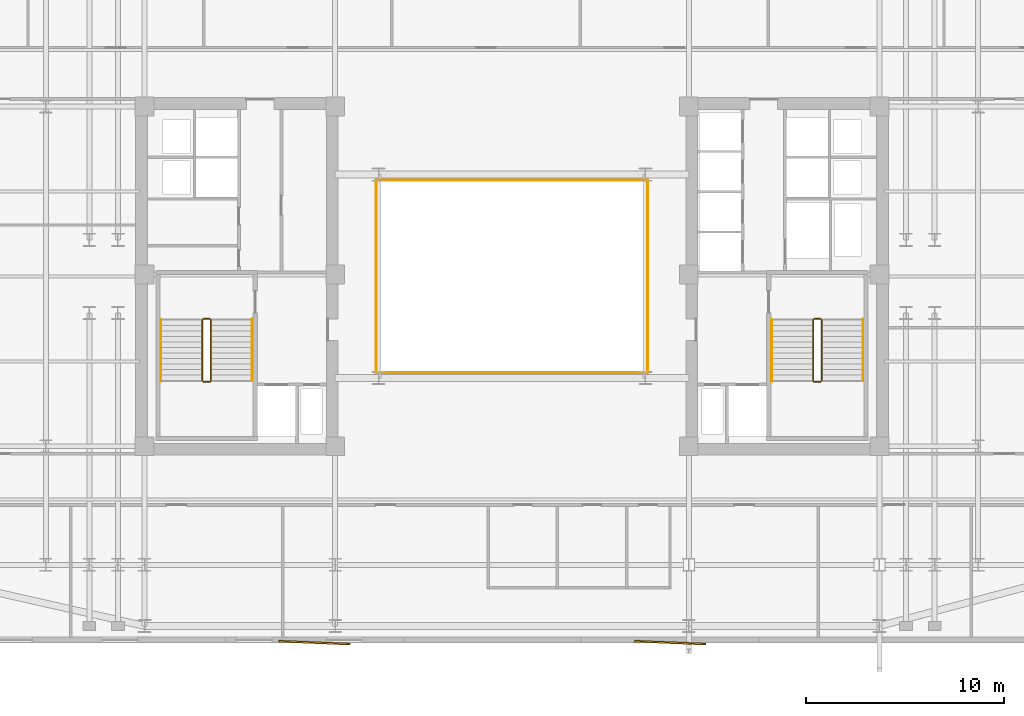
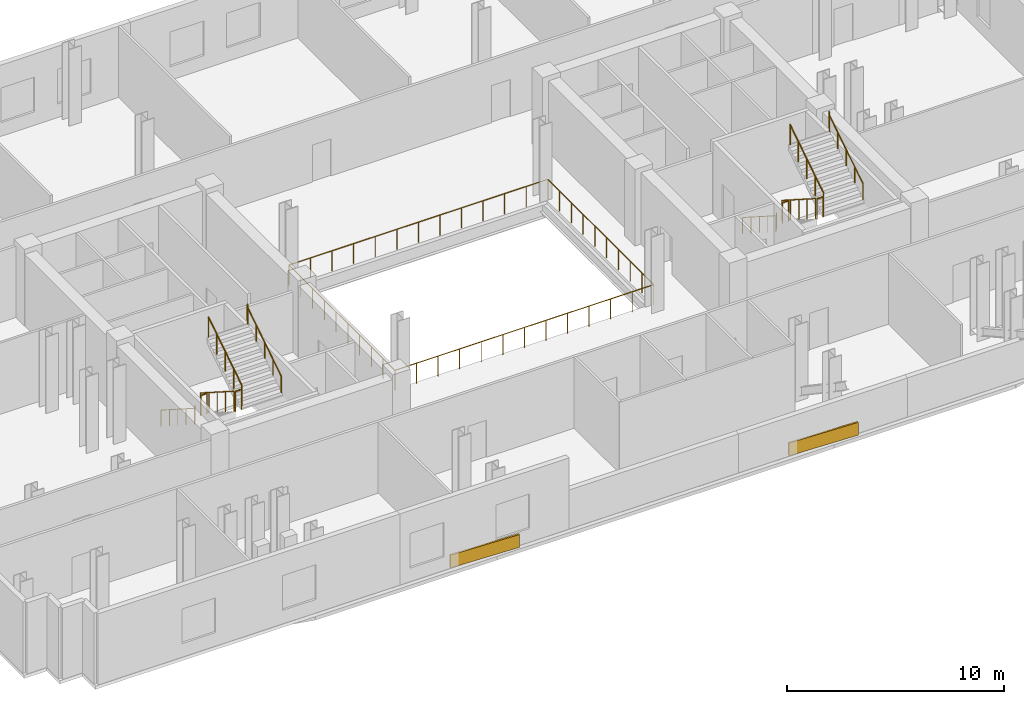
# One storey, part 8 of 9: 16 railings, 2 coverings.
"""IFC4 building model written with IfcOpenShell, lengths in metres."""

from ifc_helpers import new_model, si_unit, direction, frame, origin, origin_2d, place, context, subcontext, project, spatial, rectangle, circle, extrude, material, layer, layer_set, type_object, element, save


model = new_model("IFC4")

# Units and contexts
model_context = context("Model", 3, precision=1e-05, world=origin(), true_north=direction((0.0, 1.0)))
body_context = subcontext(model_context, "Body", "Model", "MODEL_VIEW")
ifc_project = project(units=[si_unit("LENGTHUNIT", "METRE"), si_unit("AREAUNIT", "SQUARE_METRE"), si_unit("VOLUMEUNIT", "CUBIC_METRE"), si_unit("PLANEANGLEUNIT", "RADIAN"), si_unit("MASSUNIT", "GRAM", prefix="KILO")], contexts=[model_context])

# Site, building, storey
site_placement = place(None, origin())
site = spatial("IfcSite", under=ifc_project, at=site_placement, CompositionType="ELEMENT")
building_placement = place(site_placement, origin())
building = spatial("IfcBuilding", under=site, at=building_placement, Name="Velakula Bourse", CompositionType="ELEMENT")
storey_placement = place(building_placement, frame((0.0, 0.0, 151.89990234375)))
storey = spatial("IfcBuildingStorey", under=building, at=storey_placement, Name="L41", CompositionType="ELEMENT", Elevation=151.89990234375)

# Coverings
ifc_material_1 = material(Name="Red kilned clay facing brick masonry", Category="masonry")
ifc_layer = layer(ifc_material_1, 0.090087890625, Name="Red kilned clay facing brick masonry", Category="masonry")
ifc_layer_set = layer_set([ifc_layer], Name="Red kilned clay facing brick masonry")
covering_type = type_object("IfcCoveringType", Name="COV-BRK-FOLD-90", PredefinedType="CLADDING", material=ifc_layer_set)
for number, where, z_axis, x_axis, name in (
    (1, (-10.0, -18.5400390625, 0.0), (0.0, 0.0, 1.0), (0.999158993058, -0.041003738744, 0.0), "L41 Folded Brick Facade Cladding Panel S-B2"),
    (2, (8.0, -18.5400390625, 0.0), (0.0, 0.0, 1.0), (0.999158993058, -0.041003738744, 0.0), "L41 Folded Brick Facade Cladding Panel S-B4"),
):
    element("IfcCovering", number, at=place(storey_placement, frame(where, z_axis=z_axis, x_axis=x_axis)), inside=storey, type_object=covering_type, Name=name, PredefinedType="CLADDING", context=body_context, shape_type="SweptSolid", body=[
        extrude(rectangle(XDim=3.60009765625, YDim=0.090087890625, at=origin_2d()), origin(), (0.0, 0.0, 1.0), 0.719970703125),
    ])

# Railings
ifc_material_2 = material(Name="Brushed grade 316 stainless steel", Category="steel")
railing_type_1 = type_object("IfcRailingType", Name="RLG-ATRIUM-1150", PredefinedType="BALUSTRADE", material=ifc_material_2)
railing_1_placement = place(storey_placement, frame((-6.8798828125, -4.8798828125, 0.0)))
element("IfcRailing", 3, at=railing_1_placement, inside=storey, type_object=railing_type_1, Name="L41 Central Trading Atrium Balustrade S", PredefinedType="BALUSTRADE", context=body_context, shape_type="SweptSolid", body=[
    extrude(circle(Radius=0.02392578125, at=origin_2d()), frame((0.0, 0.0, 1.1259765625), z_axis=(1.0, 0.0, 0.0), x_axis=(0.0, 1.0, 0.0)), (0.0, 0.0, 1.0), 13.759765625),
    extrude(circle(Radius=0.02099609375, at=origin_2d()), origin(), (0.0, 0.0, 1.0), 1.101806640625),
    extrude(circle(Radius=0.02099609375, at=origin_2d()), frame((1.146728515625, 0.0, 0.0)), (0.0, 0.0, 1.0), 1.101806640625),
    extrude(circle(Radius=0.02099609375, at=origin_2d()), frame((2.293212890625, 0.0, 0.0)), (0.0, 0.0, 1.0), 1.101806640625),
    extrude(circle(Radius=0.02099609375, at=origin_2d()), frame((3.43994140625, 0.0, 0.0)), (0.0, 0.0, 1.0), 1.101806640625),
    extrude(circle(Radius=0.02099609375, at=origin_2d()), frame((4.586669921875, 0.0, 0.0)), (0.0, 0.0, 1.0), 1.101806640625),
    extrude(circle(Radius=0.02099609375, at=origin_2d()), frame((5.733154296875, 0.0, 0.0)), (0.0, 0.0, 1.0), 1.101806640625),
    extrude(circle(Radius=0.02099609375, at=origin_2d()), frame((6.8798828125, 0.0, 0.0)), (0.0, 0.0, 1.0), 1.101806640625),
    extrude(circle(Radius=0.02099609375, at=origin_2d()), frame((8.026611328125, 0.0, 0.0)), (0.0, 0.0, 1.0), 1.101806640625),
    extrude(circle(Radius=0.02099609375, at=origin_2d()), frame((9.173095703125, 0.0, 0.0)), (0.0, 0.0, 1.0), 1.101806640625),
    extrude(circle(Radius=0.02099609375, at=origin_2d()), frame((10.31982421875, 0.0, 0.0)), (0.0, 0.0, 1.0), 1.101806640625),
    extrude(circle(Radius=0.02099609375, at=origin_2d()), frame((11.466552734375, 0.0, 0.0)), (0.0, 0.0, 1.0), 1.101806640625),
    extrude(circle(Radius=0.02099609375, at=origin_2d()), frame((12.613037109375, 0.0, 0.0)), (0.0, 0.0, 1.0), 1.101806640625),
    extrude(circle(Radius=0.02099609375, at=origin_2d()), frame((13.759765625, 0.0, 0.0)), (0.0, 0.0, 1.0), 1.101806640625),
])
railing_2_placement = place(storey_placement, frame((6.8798828125, -4.8798828125, 0.0)))
element("IfcRailing", 4, at=railing_2_placement, inside=storey, type_object=railing_type_1, Name="L41 Central Trading Atrium Balustrade E", PredefinedType="BALUSTRADE", context=body_context, shape_type="SweptSolid", body=[
    extrude(circle(Radius=0.02392578125, at=origin_2d()), frame((0.0, 0.0, 1.1259765625), z_axis=(0.0, 1.0, 0.0), x_axis=(-1.0, 0.0, 0.0)), (0.0, 0.0, 1.0), 9.759765625),
    extrude(circle(Radius=0.02099609375, at=origin_2d()), origin(), (0.0, 0.0, 1.0), 1.101806640625),
    extrude(circle(Radius=0.02099609375, at=origin_2d()), frame((0.0, 1.08447265625, 0.0)), (0.0, 0.0, 1.0), 1.101806640625),
    extrude(circle(Radius=0.02099609375, at=origin_2d()), frame((0.0, 2.1689453125, 0.0)), (0.0, 0.0, 1.0), 1.101806640625),
    extrude(circle(Radius=0.02099609375, at=origin_2d()), frame((0.0, 3.253173828125, 0.0)), (0.0, 0.0, 1.0), 1.101806640625),
    extrude(circle(Radius=0.02099609375, at=origin_2d()), frame((0.0, 4.337646484375, 0.0)), (0.0, 0.0, 1.0), 1.101806640625),
    extrude(circle(Radius=0.02099609375, at=origin_2d()), frame((0.0, 5.422119140625, 0.0)), (0.0, 0.0, 1.0), 1.101806640625),
    extrude(circle(Radius=0.02099609375, at=origin_2d()), frame((0.0, 6.506591796875, 0.0)), (0.0, 0.0, 1.0), 1.101806640625),
    extrude(circle(Radius=0.02099609375, at=origin_2d()), frame((0.0, 7.5908203125, 0.0)), (0.0, 0.0, 1.0), 1.101806640625),
    extrude(circle(Radius=0.02099609375, at=origin_2d()), frame((0.0, 8.67529296875, 0.0)), (0.0, 0.0, 1.0), 1.101806640625),
    extrude(circle(Radius=0.02099609375, at=origin_2d()), frame((0.0, 9.759765625, 0.0)), (0.0, 0.0, 1.0), 1.101806640625),
])
railing_3_placement = place(storey_placement, frame((6.8798828125, 4.8798828125, 0.0)))
element("IfcRailing", 5, at=railing_3_placement, inside=storey, type_object=railing_type_1, Name="L41 Central Trading Atrium Balustrade N", PredefinedType="BALUSTRADE", context=body_context, shape_type="SweptSolid", body=[
    extrude(circle(Radius=0.02392578125, at=origin_2d()), frame((0.0, 0.0, 1.1259765625), z_axis=(-1.0, 0.0, 0.0), x_axis=(0.0, -1.0, 0.0)), (0.0, 0.0, 1.0), 13.759765625),
    extrude(circle(Radius=0.02099609375, at=origin_2d()), origin(), (0.0, 0.0, 1.0), 1.101806640625),
    extrude(circle(Radius=0.02099609375, at=origin_2d()), frame((-1.146728515625, 0.0, 0.0)), (0.0, 0.0, 1.0), 1.101806640625),
    extrude(circle(Radius=0.02099609375, at=origin_2d()), frame((-2.293212890625, 0.0, 0.0)), (0.0, 0.0, 1.0), 1.101806640625),
    extrude(circle(Radius=0.02099609375, at=origin_2d()), frame((-3.43994140625, 0.0, 0.0)), (0.0, 0.0, 1.0), 1.101806640625),
    extrude(circle(Radius=0.02099609375, at=origin_2d()), frame((-4.586669921875, 0.0, 0.0)), (0.0, 0.0, 1.0), 1.101806640625),
    extrude(circle(Radius=0.02099609375, at=origin_2d()), frame((-5.733154296875, 0.0, 0.0)), (0.0, 0.0, 1.0), 1.101806640625),
    extrude(circle(Radius=0.02099609375, at=origin_2d()), frame((-6.8798828125, 0.0, 0.0)), (0.0, 0.0, 1.0), 1.101806640625),
    extrude(circle(Radius=0.02099609375, at=origin_2d()), frame((-8.026611328125, 0.0, 0.0)), (0.0, 0.0, 1.0), 1.101806640625),
    extrude(circle(Radius=0.02099609375, at=origin_2d()), frame((-9.173095703125, 0.0, 0.0)), (0.0, 0.0, 1.0), 1.101806640625),
    extrude(circle(Radius=0.02099609375, at=origin_2d()), frame((-10.31982421875, 0.0, 0.0)), (0.0, 0.0, 1.0), 1.101806640625),
    extrude(circle(Radius=0.02099609375, at=origin_2d()), frame((-11.466552734375, 0.0, 0.0)), (0.0, 0.0, 1.0), 1.101806640625),
    extrude(circle(Radius=0.02099609375, at=origin_2d()), frame((-12.613037109375, 0.0, 0.0)), (0.0, 0.0, 1.0), 1.101806640625),
    extrude(circle(Radius=0.02099609375, at=origin_2d()), frame((-13.759765625, 0.0, 0.0)), (0.0, 0.0, 1.0), 1.101806640625),
])
railing_4_placement = place(storey_placement, frame((-6.8798828125, 4.8798828125, 0.0)))
element("IfcRailing", 6, at=railing_4_placement, inside=storey, type_object=railing_type_1, Name="L41 Central Trading Atrium Balustrade W", PredefinedType="BALUSTRADE", context=body_context, shape_type="SweptSolid", body=[
    extrude(circle(Radius=0.02392578125, at=origin_2d()), frame((0.0, 0.0, 1.1259765625), z_axis=(0.0, -1.0, 0.0), x_axis=(1.0, 0.0, 0.0)), (0.0, 0.0, 1.0), 9.759765625),
    extrude(circle(Radius=0.02099609375, at=origin_2d()), origin(), (0.0, 0.0, 1.0), 1.101806640625),
    extrude(circle(Radius=0.02099609375, at=origin_2d()), frame((0.0, -1.08447265625, 0.0)), (0.0, 0.0, 1.0), 1.101806640625),
    extrude(circle(Radius=0.02099609375, at=origin_2d()), frame((0.0, -2.1689453125, 0.0)), (0.0, 0.0, 1.0), 1.101806640625),
    extrude(circle(Radius=0.02099609375, at=origin_2d()), frame((0.0, -3.253173828125, 0.0)), (0.0, 0.0, 1.0), 1.101806640625),
    extrude(circle(Radius=0.02099609375, at=origin_2d()), frame((0.0, -4.337646484375, 0.0)), (0.0, 0.0, 1.0), 1.101806640625),
    extrude(circle(Radius=0.02099609375, at=origin_2d()), frame((0.0, -5.422119140625, 0.0)), (0.0, 0.0, 1.0), 1.101806640625),
    extrude(circle(Radius=0.02099609375, at=origin_2d()), frame((0.0, -6.506591796875, 0.0)), (0.0, 0.0, 1.0), 1.101806640625),
    extrude(circle(Radius=0.02099609375, at=origin_2d()), frame((0.0, -7.5908203125, 0.0)), (0.0, 0.0, 1.0), 1.101806640625),
    extrude(circle(Radius=0.02099609375, at=origin_2d()), frame((0.0, -8.67529296875, 0.0)), (0.0, 0.0, 1.0), 1.101806640625),
    extrude(circle(Radius=0.02099609375, at=origin_2d()), frame((0.0, -9.759765625, 0.0)), (0.0, 0.0, 1.0), 1.101806640625),
])
railing_type_2 = type_object("IfcRailingType", Name="RLG-STAIR-GUARD-1150", PredefinedType="BALUSTRADE", material=ifc_material_2)
railing_5_placement = place(storey_placement, frame((-15.672119140625, -2.199951171875, 0.17919921875)))
element("IfcRailing", 7, at=railing_5_placement, inside=storey, type_object=railing_type_2, Name="L41 ST-W1 stair guard 1", PredefinedType="BALUSTRADE", context=body_context, shape_type="SweptSolid", body=[
    extrude(circle(Radius=0.02490234375, at=origin_2d()), frame((0.0, 0.0, 1.125), z_axis=(0.0, -0.842308987159, 0.53899496301), x_axis=(1.0, 0.0, 0.0)), (0.0, 0.0, 1.0), 3.65673828125),
    extrude(circle(Radius=0.02099609375, at=origin_2d()), origin(), (0.0, 0.0, 1.0), 1.099853515625),
    extrude(circle(Radius=0.02099609375, at=origin_2d()), frame((0.0, -0.77001953125, 0.49267578125)), (0.0, 0.0, 1.0), 1.099853515625),
    extrude(circle(Radius=0.02099609375, at=origin_2d()), frame((0.0, -1.5400390625, 0.9853515625)), (0.0, 0.0, 1.0), 1.099853515625),
    extrude(circle(Radius=0.02099609375, at=origin_2d()), frame((0.0, -2.31005859375, 1.478271484375)), (0.0, 0.0, 1.0), 1.099853515625),
    extrude(circle(Radius=0.02099609375, at=origin_2d()), frame((0.0, -3.080078125, 1.970947265625)), (0.0, 0.0, 1.0), 1.099853515625),
])
railing_6_placement = place(storey_placement, frame((-15.6220703125, -5.330078125, 2.150146484375)))
element("IfcRailing", 8, at=railing_6_placement, inside=storey, type_object=railing_type_2, Name="L41 ST-W1 stair guard 2", PredefinedType="BALUSTRADE", context=body_context, shape_type="SweptSolid", body=[
    extrude(circle(Radius=0.02490234375, at=origin_2d()), frame((0.0, 0.0, 1.125), z_axis=(1.0, 0.0, 0.0), x_axis=(0.0, 1.0, 0.0)), (0.0, 0.0, 1.0), 0.323974609375),
    extrude(circle(Radius=0.02099609375, at=origin_2d()), origin(), (0.0, 0.0, 1.0), 1.099853515625),
    extrude(circle(Radius=0.02099609375, at=origin_2d()), frame((0.323974609375, 0.0, 0.0)), (0.0, 0.0, 1.0), 1.099853515625),
])
railing_7_placement = place(storey_placement, frame((-15.248046875, -5.280029296875, 2.329345703125)))
element("IfcRailing", 9, at=railing_7_placement, inside=storey, type_object=railing_type_2, Name="L41 ST-W1 stair guard 3", PredefinedType="BALUSTRADE", context=body_context, shape_type="SweptSolid", body=[
    extrude(circle(Radius=0.02490234375, at=origin_2d()), frame((0.0, 0.0, 1.125), z_axis=(0.0, 0.842339298311, 0.538947591627), x_axis=(-1.0, 0.0, 0.0)), (0.0, 0.0, 1.0), 3.656494140625),
    extrude(circle(Radius=0.02099609375, at=origin_2d()), origin(), (0.0, 0.0, 1.0), 1.099853515625),
    extrude(circle(Radius=0.02099609375, at=origin_2d()), frame((0.0, 0.77001953125, 0.49267578125)), (0.0, 0.0, 1.0), 1.099853515625),
    extrude(circle(Radius=0.02099609375, at=origin_2d()), frame((0.0, 1.5400390625, 0.9853515625)), (0.0, 0.0, 1.0), 1.099853515625),
    extrude(circle(Radius=0.02099609375, at=origin_2d()), frame((0.0, 2.31005859375, 1.47802734375)), (0.0, 0.0, 1.0), 1.099853515625),
    extrude(circle(Radius=0.02099609375, at=origin_2d()), frame((0.0, 3.080078125, 1.970703125)), (0.0, 0.0, 1.0), 1.099853515625),
])
railing_8_placement = place(storey_placement, frame((-15.6220703125, -2.14990234375, 0.0)))
element("IfcRailing", 10, at=railing_8_placement, inside=storey, type_object=railing_type_2, Name="L41 ST-W1 stair guard 4", PredefinedType="BALUSTRADE", context=body_context, shape_type="SweptSolid", body=[
    extrude(circle(Radius=0.02490234375, at=origin_2d()), frame((0.0, 0.0, 1.125), z_axis=(1.0, 0.0, 0.0), x_axis=(0.0, 1.0, 0.0)), (0.0, 0.0, 1.0), 0.323974609375),
    extrude(circle(Radius=0.02099609375, at=origin_2d()), origin(), (0.0, 0.0, 1.0), 1.099853515625),
    extrude(circle(Radius=0.02099609375, at=origin_2d()), frame((0.323974609375, 0.0, 0.0)), (0.0, 0.0, 1.0), 1.099853515625),
])
railing_9_placement = place(storey_placement, frame((15.248046875, -2.199951171875, 0.17919921875)))
element("IfcRailing", 11, at=railing_9_placement, inside=storey, type_object=railing_type_2, Name="L41 ST-E1 stair guard 1", PredefinedType="BALUSTRADE", context=body_context, shape_type="SweptSolid", body=[
    extrude(circle(Radius=0.02490234375, at=origin_2d()), frame((0.0, 0.0, 1.125), z_axis=(0.0, -0.842308987159, 0.53899496301), x_axis=(1.0, 0.0, 0.0)), (0.0, 0.0, 1.0), 3.65673828125),
    extrude(circle(Radius=0.02099609375, at=origin_2d()), origin(), (0.0, 0.0, 1.0), 1.099853515625),
    extrude(circle(Radius=0.02099609375, at=origin_2d()), frame((0.0, -0.77001953125, 0.49267578125)), (0.0, 0.0, 1.0), 1.099853515625),
    extrude(circle(Radius=0.02099609375, at=origin_2d()), frame((0.0, -1.5400390625, 0.9853515625)), (0.0, 0.0, 1.0), 1.099853515625),
    extrude(circle(Radius=0.02099609375, at=origin_2d()), frame((0.0, -2.31005859375, 1.478271484375)), (0.0, 0.0, 1.0), 1.099853515625),
    extrude(circle(Radius=0.02099609375, at=origin_2d()), frame((0.0, -3.080078125, 1.970947265625)), (0.0, 0.0, 1.0), 1.099853515625),
])
railing_10_placement = place(storey_placement, frame((15.298095703125, -5.330078125, 2.150146484375)))
element("IfcRailing", 12, at=railing_10_placement, inside=storey, type_object=railing_type_2, Name="L41 ST-E1 stair guard 2", PredefinedType="BALUSTRADE", context=body_context, shape_type="SweptSolid", body=[
    extrude(circle(Radius=0.02490234375, at=origin_2d()), frame((0.0, 0.0, 1.125), z_axis=(1.0, 0.0, 0.0), x_axis=(0.0, 1.0, 0.0)), (0.0, 0.0, 1.0), 0.323974609375),
    extrude(circle(Radius=0.02099609375, at=origin_2d()), origin(), (0.0, 0.0, 1.0), 1.099853515625),
    extrude(circle(Radius=0.02099609375, at=origin_2d()), frame((0.323974609375, 0.0, 0.0)), (0.0, 0.0, 1.0), 1.099853515625),
])
railing_11_placement = place(storey_placement, frame((15.672119140625, -5.280029296875, 2.329345703125)))
element("IfcRailing", 13, at=railing_11_placement, inside=storey, type_object=railing_type_2, Name="L41 ST-E1 stair guard 3", PredefinedType="BALUSTRADE", context=body_context, shape_type="SweptSolid", body=[
    extrude(circle(Radius=0.02490234375, at=origin_2d()), frame((0.0, 0.0, 1.125), z_axis=(0.0, 0.842339298311, 0.538947591627), x_axis=(-1.0, 0.0, 0.0)), (0.0, 0.0, 1.0), 3.656494140625),
    extrude(circle(Radius=0.02099609375, at=origin_2d()), origin(), (0.0, 0.0, 1.0), 1.099853515625),
    extrude(circle(Radius=0.02099609375, at=origin_2d()), frame((0.0, 0.77001953125, 0.49267578125)), (0.0, 0.0, 1.0), 1.099853515625),
    extrude(circle(Radius=0.02099609375, at=origin_2d()), frame((0.0, 1.5400390625, 0.9853515625)), (0.0, 0.0, 1.0), 1.099853515625),
    extrude(circle(Radius=0.02099609375, at=origin_2d()), frame((0.0, 2.31005859375, 1.47802734375)), (0.0, 0.0, 1.0), 1.099853515625),
    extrude(circle(Radius=0.02099609375, at=origin_2d()), frame((0.0, 3.080078125, 1.970703125)), (0.0, 0.0, 1.0), 1.099853515625),
])
railing_12_placement = place(storey_placement, frame((15.298095703125, -2.14990234375, 0.0)))
element("IfcRailing", 14, at=railing_12_placement, inside=storey, type_object=railing_type_2, Name="L41 ST-E1 stair guard 4", PredefinedType="BALUSTRADE", context=body_context, shape_type="SweptSolid", body=[
    extrude(circle(Radius=0.02490234375, at=origin_2d()), frame((0.0, 0.0, 1.125), z_axis=(1.0, 0.0, 0.0), x_axis=(0.0, 1.0, 0.0)), (0.0, 0.0, 1.0), 0.323974609375),
    extrude(circle(Radius=0.02099609375, at=origin_2d()), origin(), (0.0, 0.0, 1.0), 1.099853515625),
    extrude(circle(Radius=0.02099609375, at=origin_2d()), frame((0.323974609375, 0.0, 0.0)), (0.0, 0.0, 1.0), 1.099853515625),
])
railing_type_3 = type_object("IfcRailingType", Name="RLG-STAIR-HAND-920", PredefinedType="HANDRAIL", material=ifc_material_2)
railing_13_placement = place(storey_placement, frame((-17.77001953125, -2.199951171875, 0.17919921875)))
element("IfcRailing", 15, at=railing_13_placement, inside=storey, type_object=railing_type_3, Name="L41 ST-W1 stair handrail 1", PredefinedType="HANDRAIL", context=body_context, shape_type="SweptSolid", body=[
    extrude(circle(Radius=0.02099609375, at=origin_2d()), frame((0.0, 0.0, 0.89892578125), z_axis=(0.0, -0.842308987159, 0.53899496301), x_axis=(1.0, 0.0, 0.0)), (0.0, 0.0, 1.0), 3.65673828125),
    extrude(circle(Radius=0.02099609375, at=origin_2d()), frame((0.0, -3.080078125, 2.869873046875), z_axis=(0.0, -0.218056574081, 0.975936130338), x_axis=(1.0, 0.0, 0.0)), (0.0, 0.0, 1.0), 0.18359375),
    extrude(circle(Radius=0.02099609375, at=origin_2d()), frame((0.0, -3.1201171875, 3.049072265625), z_axis=(0.0, -1.0, 0.0), x_axis=(1.0, 0.0, 0.0)), (0.0, 0.0, 1.0), 0.0048828125),
    extrude(circle(Radius=0.02099609375, at=origin_2d()), origin(), (0.0, 0.0, 1.0), 0.8779296875),
    extrude(circle(Radius=0.02099609375, at=origin_2d()), frame((0.0, -0.77001953125, 0.49267578125)), (0.0, 0.0, 1.0), 0.8779296875),
    extrude(circle(Radius=0.02099609375, at=origin_2d()), frame((0.0, -1.5400390625, 0.9853515625)), (0.0, 0.0, 1.0), 0.8779296875),
    extrude(circle(Radius=0.02099609375, at=origin_2d()), frame((0.0, -2.31005859375, 1.478271484375)), (0.0, 0.0, 1.0), 0.8779296875),
    extrude(circle(Radius=0.02099609375, at=origin_2d()), frame((0.0, -3.080078125, 1.970947265625)), (0.0, 0.0, 1.0), 0.8779296875),
    extrude(circle(Radius=0.02099609375, at=origin_2d()), frame((0.0, -3.1201171875, 2.150146484375)), (0.0, 0.0, 1.0), 0.8779296875),
    extrude(circle(Radius=0.02099609375, at=origin_2d()), frame((0.0, -3.125, 2.150146484375)), (0.0, 0.0, 1.0), 0.8779296875),
])
railing_14_placement = place(storey_placement, frame((-13.14990234375, -5.280029296875, 2.329345703125)))
element("IfcRailing", 16, at=railing_14_placement, inside=storey, type_object=railing_type_3, Name="L41 ST-W1 stair handrail 2", PredefinedType="HANDRAIL", context=body_context, shape_type="SweptSolid", body=[
    extrude(circle(Radius=0.02099609375, at=origin_2d()), frame((0.0, 0.0, 0.89892578125), z_axis=(0.0, 0.842339298311, 0.538947591627), x_axis=(-1.0, 0.0, 0.0)), (0.0, 0.0, 1.0), 3.656494140625),
    extrude(circle(Radius=0.02099609375, at=origin_2d()), frame((0.0, 3.080078125, 2.86962890625), z_axis=(0.0, 0.218056574081, 0.975936130338), x_axis=(-1.0, 0.0, 0.0)), (0.0, 0.0, 1.0), 0.18359375),
    extrude(circle(Radius=0.02099609375, at=origin_2d()), frame((0.0, 3.1201171875, 3.048828125), z_axis=(0.0, 1.0, 0.0), x_axis=(-1.0, 0.0, 0.0)), (0.0, 0.0, 1.0), 0.0048828125),
    extrude(circle(Radius=0.02099609375, at=origin_2d()), origin(), (0.0, 0.0, 1.0), 0.8779296875),
    extrude(circle(Radius=0.02099609375, at=origin_2d()), frame((0.0, 0.77001953125, 0.49267578125)), (0.0, 0.0, 1.0), 0.8779296875),
    extrude(circle(Radius=0.02099609375, at=origin_2d()), frame((0.0, 1.5400390625, 0.9853515625)), (0.0, 0.0, 1.0), 0.8779296875),
    extrude(circle(Radius=0.02099609375, at=origin_2d()), frame((0.0, 2.31005859375, 1.47802734375)), (0.0, 0.0, 1.0), 0.8779296875),
    extrude(circle(Radius=0.02099609375, at=origin_2d()), frame((0.0, 3.080078125, 1.970703125)), (0.0, 0.0, 1.0), 0.8779296875),
    extrude(circle(Radius=0.02099609375, at=origin_2d()), frame((0.0, 3.1201171875, 2.14990234375)), (0.0, 0.0, 1.0), 0.8779296875),
    extrude(circle(Radius=0.02099609375, at=origin_2d()), frame((0.0, 3.125, 2.14990234375)), (0.0, 0.0, 1.0), 0.8779296875),
])
railing_15_placement = place(storey_placement, frame((13.14990234375, -2.199951171875, 0.17919921875)))
element("IfcRailing", 17, at=railing_15_placement, inside=storey, type_object=railing_type_3, Name="L41 ST-E1 stair handrail 1", PredefinedType="HANDRAIL", context=body_context, shape_type="SweptSolid", body=[
    extrude(circle(Radius=0.02099609375, at=origin_2d()), frame((0.0, 0.0, 0.89892578125), z_axis=(0.0, -0.842308987159, 0.53899496301), x_axis=(1.0, 0.0, 0.0)), (0.0, 0.0, 1.0), 3.65673828125),
    extrude(circle(Radius=0.02099609375, at=origin_2d()), frame((0.0, -3.080078125, 2.869873046875), z_axis=(0.0, -0.218056574081, 0.975936130338), x_axis=(1.0, 0.0, 0.0)), (0.0, 0.0, 1.0), 0.18359375),
    extrude(circle(Radius=0.02099609375, at=origin_2d()), frame((0.0, -3.1201171875, 3.049072265625), z_axis=(0.0, -1.0, 0.0), x_axis=(1.0, 0.0, 0.0)), (0.0, 0.0, 1.0), 0.0048828125),
    extrude(circle(Radius=0.02099609375, at=origin_2d()), origin(), (0.0, 0.0, 1.0), 0.8779296875),
    extrude(circle(Radius=0.02099609375, at=origin_2d()), frame((0.0, -0.77001953125, 0.49267578125)), (0.0, 0.0, 1.0), 0.8779296875),
    extrude(circle(Radius=0.02099609375, at=origin_2d()), frame((0.0, -1.5400390625, 0.9853515625)), (0.0, 0.0, 1.0), 0.8779296875),
    extrude(circle(Radius=0.02099609375, at=origin_2d()), frame((0.0, -2.31005859375, 1.478271484375)), (0.0, 0.0, 1.0), 0.8779296875),
    extrude(circle(Radius=0.02099609375, at=origin_2d()), frame((0.0, -3.080078125, 1.970947265625)), (0.0, 0.0, 1.0), 0.8779296875),
    extrude(circle(Radius=0.02099609375, at=origin_2d()), frame((0.0, -3.1201171875, 2.150146484375)), (0.0, 0.0, 1.0), 0.8779296875),
    extrude(circle(Radius=0.02099609375, at=origin_2d()), frame((0.0, -3.125, 2.150146484375)), (0.0, 0.0, 1.0), 0.8779296875),
])
railing_16_placement = place(storey_placement, frame((17.77001953125, -5.280029296875, 2.329345703125)))
element("IfcRailing", 18, at=railing_16_placement, inside=storey, type_object=railing_type_3, Name="L41 ST-E1 stair handrail 2", PredefinedType="HANDRAIL", context=body_context, shape_type="SweptSolid", body=[
    extrude(circle(Radius=0.02099609375, at=origin_2d()), frame((0.0, 0.0, 0.89892578125), z_axis=(0.0, 0.842339298311, 0.538947591627), x_axis=(-1.0, 0.0, 0.0)), (0.0, 0.0, 1.0), 3.656494140625),
    extrude(circle(Radius=0.02099609375, at=origin_2d()), frame((0.0, 3.080078125, 2.86962890625), z_axis=(0.0, 0.218056574081, 0.975936130338), x_axis=(-1.0, 0.0, 0.0)), (0.0, 0.0, 1.0), 0.18359375),
    extrude(circle(Radius=0.02099609375, at=origin_2d()), frame((0.0, 3.1201171875, 3.048828125), z_axis=(0.0, 1.0, 0.0), x_axis=(-1.0, 0.0, 0.0)), (0.0, 0.0, 1.0), 0.0048828125),
    extrude(circle(Radius=0.02099609375, at=origin_2d()), origin(), (0.0, 0.0, 1.0), 0.8779296875),
    extrude(circle(Radius=0.02099609375, at=origin_2d()), frame((0.0, 0.77001953125, 0.49267578125)), (0.0, 0.0, 1.0), 0.8779296875),
    extrude(circle(Radius=0.02099609375, at=origin_2d()), frame((0.0, 1.5400390625, 0.9853515625)), (0.0, 0.0, 1.0), 0.8779296875),
    extrude(circle(Radius=0.02099609375, at=origin_2d()), frame((0.0, 2.31005859375, 1.47802734375)), (0.0, 0.0, 1.0), 0.8779296875),
    extrude(circle(Radius=0.02099609375, at=origin_2d()), frame((0.0, 3.080078125, 1.970703125)), (0.0, 0.0, 1.0), 0.8779296875),
    extrude(circle(Radius=0.02099609375, at=origin_2d()), frame((0.0, 3.1201171875, 2.14990234375)), (0.0, 0.0, 1.0), 0.8779296875),
    extrude(circle(Radius=0.02099609375, at=origin_2d()), frame((0.0, 3.125, 2.14990234375)), (0.0, 0.0, 1.0), 0.8779296875),
])

save(model, "model.ifc")
